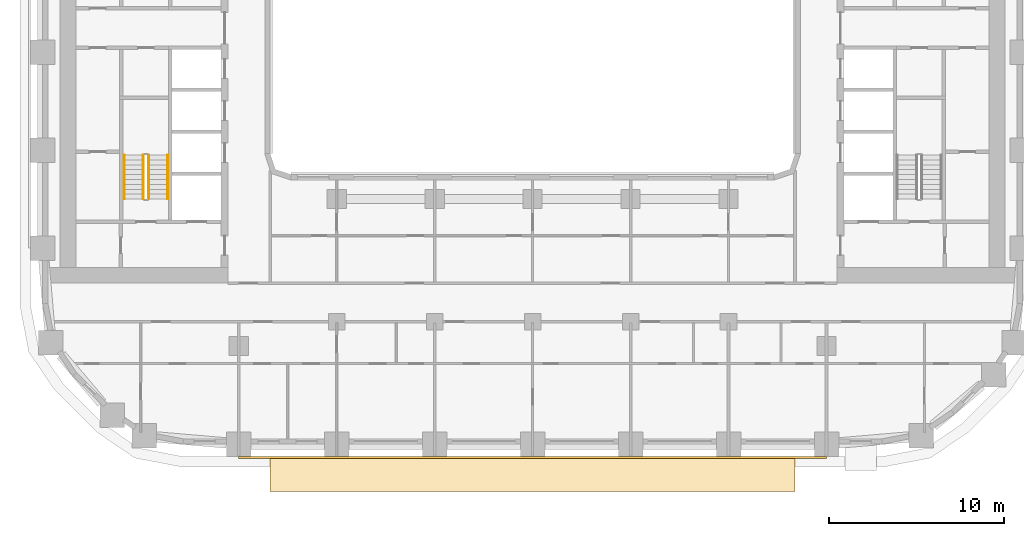
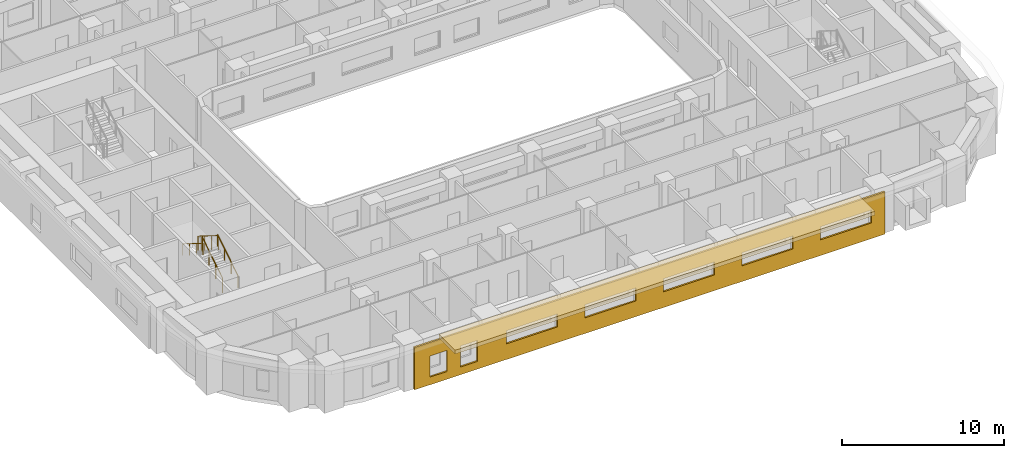
# One storey, part 12 of 22: 4 railings, 2 coverings.
"""IFC4 building model written with IfcOpenShell, lengths in metres."""

from ifc_helpers import new_model, si_unit, direction, frame, origin, origin_2d, place, context, subcontext, project, spatial, polyline, circle, outline, extrude, material, layer, layer_set, type_object, element, save


model = new_model("IFC4")

# Units and contexts
model_context = context("Model", 3, precision=1e-05, world=origin(), true_north=direction((0.0, 1.0)))
body_context = subcontext(model_context, "Body", "Model", "MODEL_VIEW")
ifc_project = project(units=[si_unit("LENGTHUNIT", "METRE"), si_unit("AREAUNIT", "SQUARE_METRE"), si_unit("VOLUMEUNIT", "CUBIC_METRE"), si_unit("PLANEANGLEUNIT", "RADIAN"), si_unit("MASSUNIT", "GRAM", prefix="KILO")], contexts=[model_context])

# Site, building, storey
site_placement = place(None, origin())
site = spatial("IfcSite", under=ifc_project, at=site_placement, CompositionType="ELEMENT")
building_placement = place(site_placement, origin())
building = spatial("IfcBuilding", under=site, at=building_placement, Name="Kiln Ring Residences", CompositionType="ELEMENT")
storey_placement = place(building_placement, frame((0.0, 0.0, 58.5)))
storey = spatial("IfcBuildingStorey", under=building, at=storey_placement, Name="L14", CompositionType="ELEMENT", Elevation=58.5)

# Railings
ifc_material_1 = material(Name="Stainless steel", Category="steel")
railing_type_1 = type_object("IfcRailingType", Name="CORE-STAIR-GUARD", PredefinedType="GUARDRAIL", material=ifc_material_1)
railing_1_placement = place(storey_placement, frame((-21.949951171875, -8.39990234375, 0.175048828125)))
element("IfcRailing", 1, at=railing_1_placement, inside=storey, type_object=railing_type_1, Name="L14 W-STS stair guard 1", PredefinedType="GUARDRAIL", context=body_context, shape_type="SweptSolid", body=[
    extrude(circle(Radius=0.02392578125, at=origin_2d()), frame((0.0, 0.0, 1.076171875), z_axis=(0.0, 0.848007534815, 0.529984170421), x_axis=(-1.0, 0.0, 0.0)), (0.0, 0.0, 1.0), 2.9716796875),
    extrude(circle(Radius=0.02099609375, at=origin_2d()), origin(), (0.0, 0.0, 1.0), 1.052001953125),
    extrude(circle(Radius=0.02099609375, at=origin_2d()), frame((0.0, 0.840087890625, 0.52490234375)), (0.0, 0.0, 1.0), 1.052001953125),
    extrude(circle(Radius=0.02099609375, at=origin_2d()), frame((0.0, 1.679931640625, 1.050048828125)), (0.0, 0.0, 1.0), 1.052001953125),
    extrude(circle(Radius=0.02099609375, at=origin_2d()), frame((0.0, 2.52001953125, 1.574951171875)), (0.0, 0.0, 1.0), 1.052001953125),
])
railing_2_placement = place(storey_placement, frame((-22.25, -5.8798828125, 1.925048828125)))
element("IfcRailing", 2, at=railing_2_placement, inside=storey, type_object=railing_type_1, Name="L14 W-STS stair guard 3", PredefinedType="GUARDRAIL", context=body_context, shape_type="SweptSolid", body=[
    extrude(circle(Radius=0.02392578125, at=origin_2d()), frame((0.0, 0.0, 1.076171875), z_axis=(0.0, -0.848007534815, 0.529984170421), x_axis=(1.0, 0.0, 0.0)), (0.0, 0.0, 1.0), 2.9716796875),
    extrude(circle(Radius=0.02099609375, at=origin_2d()), origin(), (0.0, 0.0, 1.0), 1.052001953125),
    extrude(circle(Radius=0.02099609375, at=origin_2d()), frame((0.0, -0.840087890625, 0.52490234375)), (0.0, 0.0, 1.0), 1.052001953125),
    extrude(circle(Radius=0.02099609375, at=origin_2d()), frame((0.0, -1.679931640625, 1.050048828125)), (0.0, 0.0, 1.0), 1.052001953125),
    extrude(circle(Radius=0.02099609375, at=origin_2d()), frame((0.0, -2.52001953125, 1.574951171875)), (0.0, 0.0, 1.0), 1.052001953125),
])
ifc_material_2 = material(Name="Stainless steel", Category="steel")
railing_type_2 = type_object("IfcRailingType", Name="CORE-STAIR-HANDRAIL", PredefinedType="HANDRAIL", material=ifc_material_2)
railing_3_placement = place(storey_placement, frame((-20.85009765625, -8.39990234375, 0.175048828125)))
element("IfcRailing", 3, at=railing_3_placement, inside=storey, type_object=railing_type_2, Name="L14 W-STS stair handrail 1", PredefinedType="HANDRAIL", context=body_context, shape_type="SweptSolid", body=[
    extrude(circle(Radius=0.02392578125, at=origin_2d()), frame((0.0, 0.0, 0.8759765625), z_axis=(0.0, 0.848007534815, 0.529984170421), x_axis=(-1.0, 0.0, 0.0)), (0.0, 0.0, 1.0), 2.9716796875),
    extrude(circle(Radius=0.02099609375, at=origin_2d()), origin(), (0.0, 0.0, 1.0), 0.851806640625),
    extrude(circle(Radius=0.02099609375, at=origin_2d()), frame((0.0, 0.840087890625, 0.52490234375)), (0.0, 0.0, 1.0), 0.851806640625),
    extrude(circle(Radius=0.02099609375, at=origin_2d()), frame((0.0, 1.679931640625, 1.050048828125)), (0.0, 0.0, 1.0), 0.851806640625),
    extrude(circle(Radius=0.02099609375, at=origin_2d()), frame((0.0, 2.52001953125, 1.574951171875)), (0.0, 0.0, 1.0), 0.851806640625),
])
railing_4_placement = place(storey_placement, frame((-23.35009765625, -5.8798828125, 1.925048828125)))
element("IfcRailing", 4, at=railing_4_placement, inside=storey, type_object=railing_type_2, Name="L14 W-STS stair handrail 2", PredefinedType="HANDRAIL", context=body_context, shape_type="SweptSolid", body=[
    extrude(circle(Radius=0.02392578125, at=origin_2d()), frame((0.0, 0.0, 0.8759765625), z_axis=(0.0, -0.848007534815, 0.529984170421), x_axis=(1.0, 0.0, 0.0)), (0.0, 0.0, 1.0), 2.9716796875),
    extrude(circle(Radius=0.02099609375, at=origin_2d()), origin(), (0.0, 0.0, 1.0), 0.851806640625),
    extrude(circle(Radius=0.02099609375, at=origin_2d()), frame((0.0, -0.840087890625, 0.52490234375)), (0.0, 0.0, 1.0), 0.851806640625),
    extrude(circle(Radius=0.02099609375, at=origin_2d()), frame((0.0, -1.679931640625, 1.050048828125)), (0.0, 0.0, 1.0), 0.851806640625),
    extrude(circle(Radius=0.02099609375, at=origin_2d()), frame((0.0, -2.52001953125, 1.574951171875)), (0.0, 0.0, 1.0), 0.851806640625),
])

# Coverings
ifc_material_3 = material(Name="Brick masonry, dark clay brick", Category="masonry")
ifc_layer_1 = layer(ifc_material_3, 0.1201171875)
ifc_layer_set_1 = layer_set([ifc_layer_1], Name="RAINSCREEN PANEL 120")
covering_type_1 = type_object("IfcCoveringType", Name="RAINSCREEN PANEL 120", PredefinedType="CLADDING", material=ifc_layer_set_1)
covering_1_placement = place(storey_placement, frame((-16.800048828125, -23.159912109375, 0.0), z_axis=(0.0, 0.0, 1.0), x_axis=(1.0, 0.0, 0.0)))
element("IfcCovering", 5, at=covering_1_placement, inside=storey, type_object=covering_type_1, Name="RAINSCREEN L14", PredefinedType="CLADDING", context=body_context, shape_type="SweptSolid", body=[
    extrude(outline(polyline([(0.0, 0.0), (33.60009765625, 0.0), (33.60009765625, 3.199951171875), (0.0, 3.199951171875), (0.0, 0.0)]), holes=[polyline([(2.33251953125, 0.580078125), (2.33251953125, 2.169921875), (1.092529296875, 2.169921875), (1.092529296875, 0.580078125), (2.33251953125, 0.580078125)]), polyline([(3.267578125, 0.580078125), (4.507568359375, 0.580078125), (4.507568359375, 2.169921875), (3.267578125, 2.169921875), (3.267578125, 0.580078125)]), polyline([(6.580078125, 1.179931640625), (10.219970703125, 1.179931640625), (10.219970703125, 2.169921875), (6.580078125, 2.169921875), (6.580078125, 1.179931640625)]), polyline([(12.179931640625, 1.179931640625), (15.820068359375, 1.179931640625), (15.820068359375, 2.169921875), (12.179931640625, 2.169921875), (12.179931640625, 1.179931640625)]), polyline([(17.780029296875, 1.179931640625), (21.419921875, 1.179931640625), (21.419921875, 2.169921875), (17.780029296875, 2.169921875), (17.780029296875, 1.179931640625)]), polyline([(23.3798828125, 1.179931640625), (27.02001953125, 1.179931640625), (27.02001953125, 2.169921875), (23.3798828125, 2.169921875), (23.3798828125, 1.179931640625)]), polyline([(28.97998046875, 1.179931640625), (32.6201171875, 1.179931640625), (32.6201171875, 2.169921875), (28.97998046875, 2.169921875), (28.97998046875, 1.179931640625)])]), frame((0.0, 0.06005859375, 0.0), z_axis=(0.0, -1.0, 0.0), x_axis=(1.0, 0.0, 0.0)), (0.0, 0.0, 1.0), 0.1201171875),
])
ifc_material_4 = material(Name="Black powder-coated steel", Category="steel")
ifc_layer_2 = layer(ifc_material_4, 0.300048828125)
ifc_layer_set_2 = layer_set([ifc_layer_2], Name="SUNSHADE BAND 2000")
covering_type_2 = type_object("IfcCoveringType", Name="SUNSHADE BAND 2000", PredefinedType="CLADDING", material=ifc_layer_set_2)
covering_2_placement = place(storey_placement, frame((0.0, 0.0, 3.199951171875)))
element("IfcCovering", 6, at=covering_2_placement, inside=storey, type_object=covering_type_2, Name="SUNSHADE BAND L14", PredefinedType="CLADDING", context=body_context, shape_type="SweptSolid", body=[
    extrude(outline(polyline([(-15.0, -25.10009765625), (15.0, -25.10009765625), (15.0, -23.10009765625), (-15.0, -23.10009765625), (-15.0, -25.10009765625)])), origin(), (0.0, 0.0, 1.0), 0.300048828125),
])

save(model, "model.ifc")
